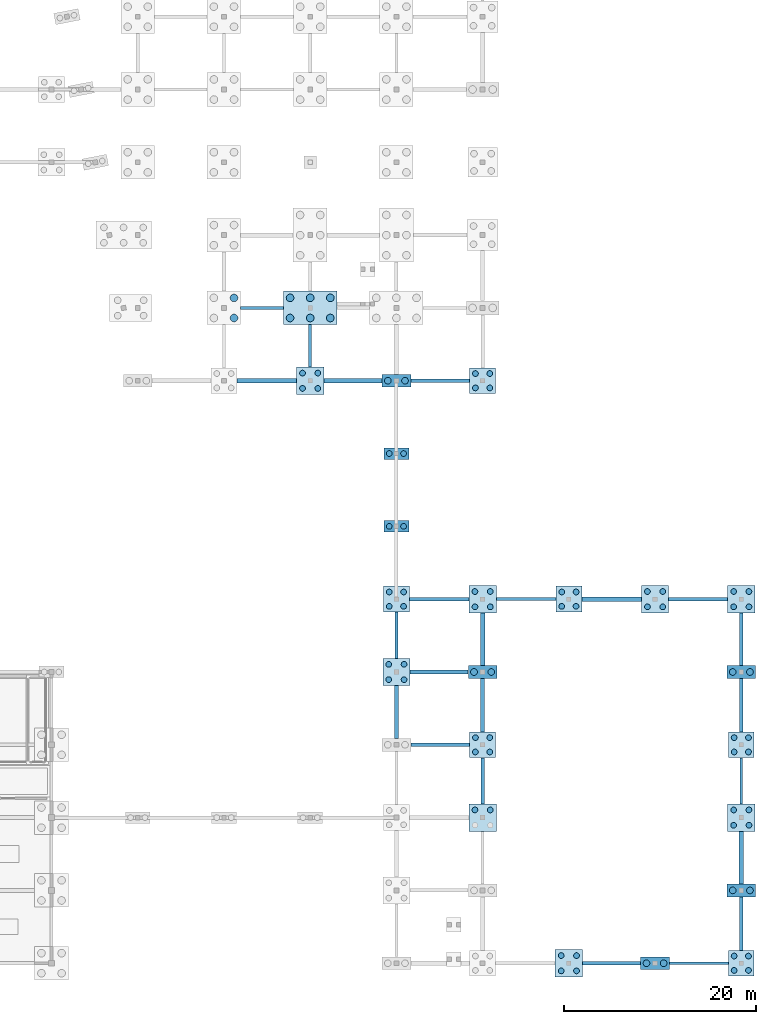
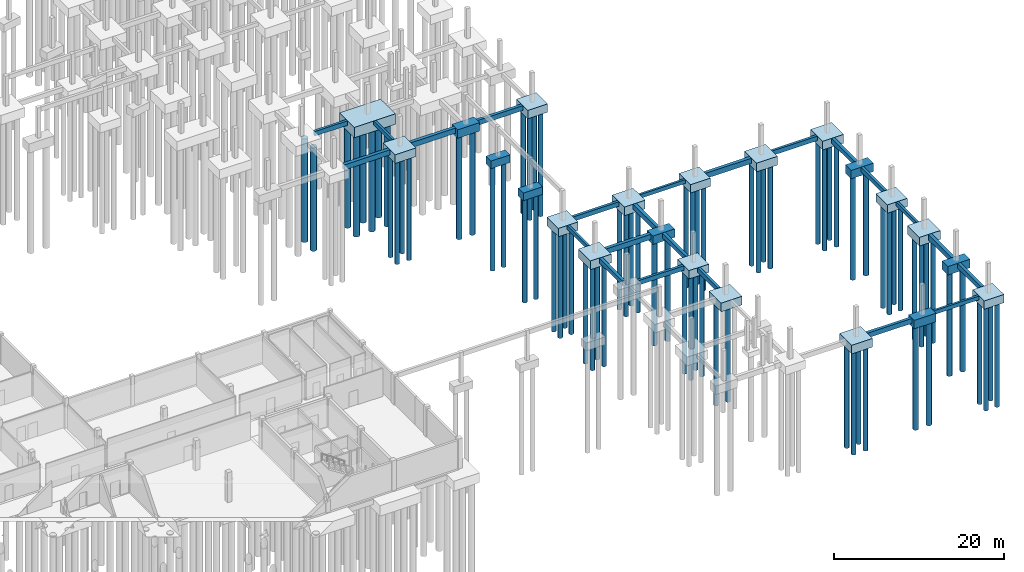
# One storey, part 10 of 28: 76 piles, 45 footings.
"""IFC4 building model written with IfcOpenShell, lengths in metres."""

from ifc_helpers import new_model, si_unit, direction, frame, origin, origin_2d, place, context, subcontext, project, spatial, rectangle, circle, extrude, material, layer, layer_set, material_profile, profile_set, type_object, element, save


model = new_model("IFC4")

# Units and contexts
model_context = context("Model", 3, precision=1e-05, world=origin(), true_north=direction((0.0, 1.0)))
body_context = subcontext(model_context, "Body", "Model", "MODEL_VIEW")
ifc_project = project(units=[si_unit("LENGTHUNIT", "METRE"), si_unit("AREAUNIT", "SQUARE_METRE"), si_unit("VOLUMEUNIT", "CUBIC_METRE"), si_unit("PLANEANGLEUNIT", "RADIAN"), si_unit("MASSUNIT", "GRAM", prefix="KILO")], contexts=[model_context])

# Site, building, storey
site_placement = place(None, origin())
site = spatial("IfcSite", under=ifc_project, at=site_placement, CompositionType="ELEMENT")
building_placement = place(site_placement, origin())
building = spatial("IfcBuilding", under=site, at=building_placement, Name="Caisbarro Railhouse Central Library", CompositionType="ELEMENT")
storey_placement = place(building_placement, frame((0.0, 0.0, -4.320068359375)))
storey = spatial("IfcBuildingStorey", under=building, at=storey_placement, Name="B01", CompositionType="ELEMENT", Elevation=-4.320068359375)

# Footings
ifc_material_1 = material(Name="Concrete C35", Category="concrete")
footing_type_1 = type_object("IfcFootingType", Name="FTG-FB01", PredefinedType="FOOTING_BEAM", material=ifc_material_1)
footing_1_placement = place(storey_placement, frame((129.97509765625, 68.39990234375, -0.64990234375), z_axis=(0.0, 0.0, 1.0), x_axis=(1.0, 0.0, 0.0)))
element("IfcFooting", 1, at=footing_1_placement, inside=storey, type_object=footing_type_1, Name="FB01 ground tie beam 200", PredefinedType="FOOTING_BEAM", context=body_context, shape_type="SweptSolid", body=[
    extrude(rectangle(XDim=4.446044921875, YDim=0.35009765625, at=origin_2d()), origin(), (0.0, 0.0, 1.0), 0.64990234375),
])
footing_2_placement = place(storey_placement, frame((148.574951171875, 22.800048828125, -0.64990234375), z_axis=(0.0, 0.0, 1.0), x_axis=(1.0, 0.0, 0.0)))
element("IfcFooting", 2, at=footing_2_placement, inside=storey, type_object=footing_type_1, Name="FB01 ground tie beam 228", PredefinedType="FOOTING_BEAM", context=body_context, shape_type="SweptSolid", body=[
    extrude(rectangle(XDim=6.14599609375, YDim=0.35009765625, at=origin_2d()), origin(), (0.0, 0.0, 1.0), 0.64990234375),
])
footing_3_placement = place(storey_placement, frame((148.46240234375, 38.0, -0.64990234375), z_axis=(0.0, 0.0, 1.0), x_axis=(1.0, 0.0, 0.0)))
element("IfcFooting", 3, at=footing_3_placement, inside=storey, type_object=footing_type_1, Name="FB01 ground tie beam 232", PredefinedType="FOOTING_BEAM", context=body_context, shape_type="SweptSolid", body=[
    extrude(rectangle(XDim=6.220947265625, YDim=0.35009765625, at=origin_2d()), origin(), (0.0, 0.0, 1.0), 0.64990234375),
])
footing_4_placement = place(storey_placement, frame((153.0, 19.03759765625, -0.64990234375), z_axis=(0.0, 0.0, 1.0), x_axis=(0.0, 1.0, 0.0)))
element("IfcFooting", 4, at=footing_4_placement, inside=storey, type_object=footing_type_1, Name="FB01 ground tie beam 248", PredefinedType="FOOTING_BEAM", context=body_context, shape_type="SweptSolid", body=[
    extrude(rectangle(XDim=4.821044921875, YDim=0.35009765625, at=origin_2d()), origin(), (0.0, 0.0, 1.0), 0.64990234375),
])
footing_5_placement = place(storey_placement, frame((175.5, 38.0, -0.64990234375), z_axis=(0.0, 0.0, 1.0), x_axis=(1.0, 0.0, 0.0)))
element("IfcFooting", 5, at=footing_5_placement, inside=storey, type_object=footing_type_1, Name="FB01 ground tie beam 260", PredefinedType="FOOTING_BEAM", context=body_context, shape_type="SweptSolid", body=[
    extrude(rectangle(XDim=6.14599609375, YDim=0.35009765625, at=origin_2d()), origin(), (0.0, 0.0, 1.0), 0.64990234375),
])
footing_6_placement = place(storey_placement, frame((180.0, 26.9375, -0.64990234375), z_axis=(0.0, 0.0, 1.0), x_axis=(0.0, 1.0, 0.0)))
element("IfcFooting", 6, at=footing_6_placement, inside=storey, type_object=footing_type_1, Name="FB01 ground tie beam 264", PredefinedType="FOOTING_BEAM", context=body_context, shape_type="SweptSolid", body=[
    extrude(rectangle(XDim=5.571044921875, YDim=0.35009765625, at=origin_2d()), origin(), (0.0, 0.0, 1.0), 0.64990234375),
])
footing_type_2 = type_object("IfcFootingType", Name="FTG-FB02", PredefinedType="FOOTING_BEAM", material=ifc_material_1)
footing_7_placement = place(storey_placement, frame((144.0, 26.22509765625, -0.69970703125), z_axis=(0.0, 0.0, 1.0), x_axis=(0.0, 1.0, 0.0)))
element("IfcFooting", 7, at=footing_7_placement, inside=storey, type_object=footing_type_2, Name="FB02 ground tie beam 229", PredefinedType="FOOTING_BEAM", context=body_context, shape_type="SweptSolid", body=[
    extrude(rectangle(XDim=5.49609375, YDim=0.39990234375, at=origin_2d()), origin(), (0.0, 0.0, 1.0), 0.699951171875),
])
footing_8_placement = place(storey_placement, frame((148.574951171875, 60.800048828125, -0.69970703125), z_axis=(0.0, 0.0, 1.0), x_axis=(1.0, 0.0, 0.0)))
element("IfcFooting", 8, at=footing_8_placement, inside=storey, type_object=footing_type_2, Name="FB02 ground tie beam 233", PredefinedType="FOOTING_BEAM", context=body_context, shape_type="SweptSolid", body=[
    extrude(rectangle(XDim=6.14599609375, YDim=0.39990234375, at=origin_2d()), origin(), (0.0, 0.0, 1.0), 0.699951171875),
])
footing_9_placement = place(storey_placement, frame((153.0, 26.9375, -0.69970703125), z_axis=(0.0, 0.0, 1.0), x_axis=(0.0, 1.0, 0.0)))
element("IfcFooting", 9, at=footing_9_placement, inside=storey, type_object=footing_type_2, Name="FB02 ground tie beam 249", PredefinedType="FOOTING_BEAM", context=body_context, shape_type="SweptSolid", body=[
    extrude(rectangle(XDim=5.571044921875, YDim=0.39990234375, at=origin_2d()), origin(), (0.0, 0.0, 1.0), 0.699951171875),
])
footing_10_placement = place(storey_placement, frame((166.46240234375, 0.0, -0.69970703125), z_axis=(0.0, 0.0, 1.0), x_axis=(1.0, 0.0, 0.0)))
element("IfcFooting", 10, at=footing_10_placement, inside=storey, type_object=footing_type_2, Name="FB02 ground tie beam 257", PredefinedType="FOOTING_BEAM", context=body_context, shape_type="SweptSolid", body=[
    extrude(rectangle(XDim=6.071044921875, YDim=0.39990234375, at=origin_2d()), origin(), (0.0, 0.0, 1.0), 0.699951171875),
])
footing_11_placement = place(storey_placement, frame((180.0, 4.137451171875, -0.69970703125), z_axis=(0.0, 0.0, 1.0), x_axis=(0.0, 1.0, 0.0)))
element("IfcFooting", 11, at=footing_11_placement, inside=storey, type_object=footing_type_2, Name="FB02 ground tie beam 261", PredefinedType="FOOTING_BEAM", context=body_context, shape_type="SweptSolid", body=[
    extrude(rectangle(XDim=5.571044921875, YDim=0.39990234375, at=origin_2d()), origin(), (0.0, 0.0, 1.0), 0.699951171875),
])
footing_12_placement = place(storey_placement, frame((180.0, 33.824951171875, -0.69970703125), z_axis=(0.0, 0.0, 1.0), x_axis=(0.0, 1.0, 0.0)))
element("IfcFooting", 12, at=footing_12_placement, inside=storey, type_object=footing_type_2, Name="FB02 ground tie beam 265", PredefinedType="FOOTING_BEAM", context=body_context, shape_type="SweptSolid", body=[
    extrude(rectangle(XDim=5.49609375, YDim=0.39990234375, at=origin_2d()), origin(), (0.0, 0.0, 1.0), 0.699951171875),
])
footing_type_3 = type_object("IfcFootingType", Name="FTG-FB03", PredefinedType="FOOTING_BEAM", material=ifc_material_1)
footing_13_placement = place(storey_placement, frame((130.46240234375, 60.800048828125, -0.75), z_axis=(0.0, 0.0, 1.0), x_axis=(1.0, 0.0, 0.0)))
element("IfcFooting", 13, at=footing_13_placement, inside=storey, type_object=footing_type_3, Name="FB03 ground tie beam 198", PredefinedType="FOOTING_BEAM", context=body_context, shape_type="SweptSolid", body=[
    extrude(rectangle(XDim=6.220947265625, YDim=0.449951171875, at=origin_2d()), origin(), (0.0, 0.0, 1.0), 0.75),
])
for number, where, z_axis, x_axis, name in (
    (14, (139.46240234375, 60.800048828125, -0.75), (0.0, 0.0, 1.0), (1.0, 0.0, 0.0), "FB03 ground tie beam 210"),
    (15, (148.46240234375, 30.39990234375, -0.75), (0.0, 0.0, 1.0), (1.0, 0.0, 0.0), "FB03 ground tie beam 230"),
):
    element("IfcFooting", number, at=place(storey_placement, frame(where, z_axis=z_axis, x_axis=x_axis)), inside=storey, type_object=footing_type_3, Name=name, PredefinedType="FOOTING_BEAM", context=body_context, shape_type="SweptSolid", body=[
        extrude(rectangle(XDim=6.071044921875, YDim=0.449951171875, at=origin_2d()), origin(), (0.0, 0.0, 1.0), 0.75),
    ])
footing_14_placement = place(storey_placement, frame((153.0, 33.824951171875, -0.75), z_axis=(0.0, 0.0, 1.0), x_axis=(0.0, 1.0, 0.0)))
element("IfcFooting", 16, at=footing_14_placement, inside=storey, type_object=footing_type_3, Name="FB03 ground tie beam 250", PredefinedType="FOOTING_BEAM", context=body_context, shape_type="SweptSolid", body=[
    extrude(rectangle(XDim=5.49609375, YDim=0.449951171875, at=origin_2d()), origin(), (0.0, 0.0, 1.0), 0.75),
])
footing_15_placement = place(storey_placement, frame((166.46240234375, 38.0, -0.75), z_axis=(0.0, 0.0, 1.0), x_axis=(1.0, 0.0, 0.0)))
element("IfcFooting", 17, at=footing_15_placement, inside=storey, type_object=footing_type_3, Name="FB03 ground tie beam 258", PredefinedType="FOOTING_BEAM", context=body_context, shape_type="SweptSolid", body=[
    extrude(rectangle(XDim=6.220947265625, YDim=0.449951171875, at=origin_2d()), origin(), (0.0, 0.0, 1.0), 0.75),
])
footing_16_placement = place(storey_placement, frame((180.0, 11.02490234375, -0.75), z_axis=(0.0, 0.0, 1.0), x_axis=(0.0, 1.0, 0.0)))
element("IfcFooting", 18, at=footing_16_placement, inside=storey, type_object=footing_type_3, Name="FB03 ground tie beam 262", PredefinedType="FOOTING_BEAM", context=body_context, shape_type="SweptSolid", body=[
    extrude(rectangle(XDim=5.49609375, YDim=0.449951171875, at=origin_2d()), origin(), (0.0, 0.0, 1.0), 0.75),
])
footing_type_4 = type_object("IfcFootingType", Name="FTG-FB04", PredefinedType="FOOTING_BEAM", material=ifc_material_1)
footing_17_placement = place(storey_placement, frame((135.0, 64.4375, -0.5498046875), z_axis=(0.0, 0.0, 1.0), x_axis=(0.0, 1.0, 0.0)))
element("IfcFooting", 19, at=footing_17_placement, inside=storey, type_object=footing_type_4, Name="FB04 ground tie beam 211", PredefinedType="FOOTING_BEAM", context=body_context, shape_type="SweptSolid", body=[
    extrude(rectangle(XDim=4.4208984375, YDim=0.300048828125, at=origin_2d()), origin(), (0.0, 0.0, 1.0), 0.550048828125),
])
footing_18_placement = place(storey_placement, frame((144.0, 34.237548828125, -0.5498046875), z_axis=(0.0, 0.0, 1.0), x_axis=(0.0, 1.0, 0.0)))
element("IfcFooting", 20, at=footing_18_placement, inside=storey, type_object=footing_type_4, Name="FB04 ground tie beam 231", PredefinedType="FOOTING_BEAM", context=body_context, shape_type="SweptSolid", body=[
    extrude(rectangle(XDim=4.821044921875, YDim=0.300048828125, at=origin_2d()), origin(), (0.0, 0.0, 1.0), 0.550048828125),
])
footing_19_placement = place(storey_placement, frame((157.53759765625, 38.0, -0.5498046875), z_axis=(0.0, 0.0, 1.0), x_axis=(1.0, 0.0, 0.0)))
element("IfcFooting", 21, at=footing_19_placement, inside=storey, type_object=footing_type_4, Name="FB04 ground tie beam 251", PredefinedType="FOOTING_BEAM", context=body_context, shape_type="SweptSolid", body=[
    extrude(rectangle(XDim=6.220947265625, YDim=0.300048828125, at=origin_2d()), origin(), (0.0, 0.0, 1.0), 0.550048828125),
])
footing_20_placement = place(storey_placement, frame((175.574951171875, 0.0, -0.5498046875), z_axis=(0.0, 0.0, 1.0), x_axis=(1.0, 0.0, 0.0)))
element("IfcFooting", 22, at=footing_20_placement, inside=storey, type_object=footing_type_4, Name="FB04 ground tie beam 259", PredefinedType="FOOTING_BEAM", context=body_context, shape_type="SweptSolid", body=[
    extrude(rectangle(XDim=6.14599609375, YDim=0.300048828125, at=origin_2d()), origin(), (0.0, 0.0, 1.0), 0.550048828125),
])
footing_21_placement = place(storey_placement, frame((180.0, 19.03759765625, -0.5498046875), z_axis=(0.0, 0.0, 1.0), x_axis=(0.0, 1.0, 0.0)))
element("IfcFooting", 23, at=footing_21_placement, inside=storey, type_object=footing_type_4, Name="FB04 ground tie beam 263", PredefinedType="FOOTING_BEAM", context=body_context, shape_type="SweptSolid", body=[
    extrude(rectangle(XDim=4.821044921875, YDim=0.300048828125, at=origin_2d()), origin(), (0.0, 0.0, 1.0), 0.550048828125),
])
ifc_material_2 = material(Name="Concrete C40", Category="concrete")
ifc_layer_1 = layer(ifc_material_2, 1.10009765625, Name="Concrete C40")
ifc_layer_set_1 = layer_set([ifc_layer_1], Name="Concrete C40")
footing_type_5 = type_object("IfcFootingType", Name="FTG-PC02", PredefinedType="PILE_CAP", material=ifc_layer_set_1)
for number, where, z_axis, x_axis, name in (
    (24, (144.0, 45.60009765625, -1.10009765625), (0.0, 0.0, 1.0), (1.0, 0.0, 0.0), "PC02 link pile cap 5"),
    (25, (144.0, 53.199951171875, -1.10009765625), (0.0, 0.0, 1.0), (1.0, 0.0, 0.0), "PC02 link pile cap 6"),
):
    element("IfcFooting", number, at=place(storey_placement, frame(where, z_axis=z_axis, x_axis=x_axis)), inside=storey, type_object=footing_type_5, Name=name, PredefinedType="PILE_CAP", context=body_context, shape_type="SweptSolid", body=[
        extrude(rectangle(XDim=2.60009765625, YDim=1.199951171875, at=origin_2d()), origin(), (0.0, 0.0, 1.0), 1.10009765625),
    ])
ifc_layer_2 = layer(ifc_material_2, 1.199951171875, Name="Concrete C40")
ifc_layer_set_2 = layer_set([ifc_layer_2], Name="Concrete C40")
footing_type_6 = type_object("IfcFootingType", Name="FTG-PC04", PredefinedType="PILE_CAP", material=ifc_layer_set_2)
for number, where, z_axis, x_axis, name in (
    (26, (144.0, 38.0, -1.19970703125), (0.0, 0.0, 1.0), (1.0, 0.0, 0.0), "PC04 pile cap (198)"),
    (27, (153.0, 22.800048828125, -1.19970703125), (0.0, 0.0, 1.0), (1.0, 0.0, 0.0), "PC04 pile cap (210)"),
    (28, (153.0, 60.800048828125, -1.19970703125), (0.0, 0.0, 1.0), (1.0, 0.0, 0.0), "PC04 pile cap (213)"),
    (29, (162.0, 38.0, -1.19970703125), (0.0, 0.0, 1.0), (1.0, 0.0, 0.0), "PC04 pile cap (222)"),
    (30, (180.0, 0.0, -1.19970703125), (0.0, 0.0, 1.0), (1.0, 0.0, 0.0), "PC04 pile cap (225)"),
    (31, (180.0, 22.800048828125, -1.19970703125), (0.0, 0.0, 1.0), (1.0, 0.0, 0.0), "PC04 pile cap (228)"),
):
    element("IfcFooting", number, at=place(storey_placement, frame(where, z_axis=z_axis, x_axis=x_axis)), inside=storey, type_object=footing_type_6, Name=name, PredefinedType="PILE_CAP", context=body_context, shape_type="SweptSolid", body=[
        extrude(rectangle(XDim=2.699951171875, YDim=2.699951171875, at=origin_2d()), origin(), (0.0, 0.0, 1.0), 1.199951171875),
    ])
ifc_layer_3 = layer(ifc_material_2, 1.219970703125, Name="Concrete C40")
ifc_layer_set_3 = layer_set([ifc_layer_3], Name="Concrete C40")
footing_type_7 = type_object("IfcFootingType", Name="FTG-PC05", PredefinedType="PILE_CAP", material=ifc_layer_set_3)
for number, where, z_axis, x_axis, name in (
    (32, (144.0, 60.800048828125, -1.2197265625), (0.0, 0.0, 1.0), (1.0, 0.0, 0.0), "PC05 pile cap (199)"),
    (33, (153.0, 30.39990234375, -1.2197265625), (0.0, 0.0, 1.0), (1.0, 0.0, 0.0), "PC05 pile cap (211)"),
    (34, (171.0, 0.0, -1.2197265625), (0.0, 0.0, 1.0), (1.0, 0.0, 0.0), "PC05 pile cap (223)"),
    (35, (180.0, 7.60009765625, -1.2197265625), (0.0, 0.0, 1.0), (1.0, 0.0, 0.0), "PC05 pile cap (226)"),
    (36, (180.0, 30.39990234375, -1.2197265625), (0.0, 0.0, 1.0), (1.0, 0.0, 0.0), "PC05 pile cap (229)"),
):
    element("IfcFooting", number, at=place(storey_placement, frame(where, z_axis=z_axis, x_axis=x_axis)), inside=storey, type_object=footing_type_7, Name=name, PredefinedType="PILE_CAP", context=body_context, shape_type="SweptSolid", body=[
        extrude(rectangle(XDim=3.0, YDim=1.35009765625, at=origin_2d()), origin(), (0.0, 0.0, 1.0), 1.219970703125),
    ])
ifc_layer_4 = layer(ifc_material_2, 1.5, Name="Concrete C40")
ifc_layer_set_4 = layer_set([ifc_layer_4], Name="Concrete C40")
footing_type_8 = type_object("IfcFootingType", Name="FTG-PC09", PredefinedType="PILE_CAP", material=ifc_layer_set_4)
footing_22_placement = place(storey_placement, frame((135.0, 68.39990234375, -1.5), z_axis=(0.0, 0.0, 1.0), x_axis=(1.0, 0.0, 0.0)))
element("IfcFooting", 37, at=footing_22_placement, inside=storey, type_object=footing_type_8, Name="PC09 pile cap (186)", PredefinedType="PILE_CAP", context=body_context, shape_type="SweptSolid", body=[
    extrude(rectangle(XDim=5.60009765625, YDim=3.5, at=origin_2d()), origin(), (0.0, 0.0, 1.0), 1.5),
])
ifc_layer_5 = layer(ifc_material_2, 1.25, Name="Concrete C40")
ifc_layer_set_5 = layer_set([ifc_layer_5], Name="Concrete C40")
footing_type_9 = type_object("IfcFootingType", Name="FTG-PC13", PredefinedType="PILE_CAP", material=ifc_layer_set_5)
for number, where, z_axis, x_axis, name in (
    (38, (135.0, 60.800048828125, -1.25), (0.0, 0.0, 1.0), (1.0, 0.0, 0.0), "PC13 pile cap (185)"),
    (39, (144.0, 30.39990234375, -1.25), (0.0, 0.0, 1.0), (1.0, 0.0, 0.0), "PC13 pile cap (197)"),
    (40, (153.0, 15.199951171875, -1.25), (0.0, 0.0, 1.0), (1.0, 0.0, 0.0), "PC13 pile cap (209)"),
    (41, (153.0, 38.0, -1.25), (0.0, 0.0, 1.0), (1.0, 0.0, 0.0), "PC13 pile cap (212)"),
    (42, (162.0, 0.0, -1.25), (0.0, 0.0, 1.0), (1.0, 0.0, 0.0), "PC13 pile cap (221)"),
    (43, (171.0, 38.0, -1.25), (0.0, 0.0, 1.0), (1.0, 0.0, 0.0), "PC13 pile cap (224)"),
    (44, (180.0, 15.199951171875, -1.25), (0.0, 0.0, 1.0), (1.0, 0.0, 0.0), "PC13 pile cap (227)"),
    (45, (180.0, 38.0, -1.25), (0.0, 0.0, 1.0), (1.0, 0.0, 0.0), "PC13 pile cap (230)"),
):
    element("IfcFooting", number, at=place(storey_placement, frame(where, z_axis=z_axis, x_axis=x_axis)), inside=storey, type_object=footing_type_9, Name=name, PredefinedType="PILE_CAP", context=body_context, shape_type="SweptSolid", body=[
        extrude(rectangle(XDim=2.85009765625, YDim=2.85009765625, at=origin_2d()), origin(), (0.0, 0.0, 1.0), 1.25),
    ])

# Piles
ifc_material_profile_1 = material_profile(ifc_material_1, circle(Radius=0.300048828125, at=origin_2d()), Name="PILE-CFA-600")
ifc_profile_set_1 = profile_set([ifc_material_profile_1], Name="Concrete C35")
pile_type_1 = type_object("IfcPileType", Name="PILE-CFA600", PredefinedType="BORED", material=ifc_profile_set_1)
for number, where, z_axis, x_axis, name in (
    (46, (134.199951171875, 60.0, -1.14990234375), (0.0, 0.0, -1.0), (1.0, 0.0, 0.0), "PL60 CFA bored pile 185.1"),
    (47, (135.800048828125, 60.0, -1.14990234375), (0.0, 0.0, -1.0), (1.0, 0.0, 0.0), "PL60 CFA bored pile 185.2"),
    (48, (134.199951171875, 61.60009765625, -1.14990234375), (0.0, 0.0, -1.0), (1.0, 0.0, 0.0), "PL60 CFA bored pile 185.3"),
    (49, (135.800048828125, 61.60009765625, -1.14990234375), (0.0, 0.0, -1.0), (1.0, 0.0, 0.0), "PL60 CFA bored pile 185.4"),
    (50, (143.199951171875, 29.60009765625, -1.14990234375), (0.0, 0.0, -1.0), (1.0, 0.0, 0.0), "PL60 CFA bored pile 197.1"),
    (51, (144.800048828125, 29.60009765625, -1.14990234375), (0.0, 0.0, -1.0), (1.0, 0.0, 0.0), "PL60 CFA bored pile 197.2"),
    (52, (143.199951171875, 31.199951171875, -1.14990234375), (0.0, 0.0, -1.0), (1.0, 0.0, 0.0), "PL60 CFA bored pile 197.3"),
    (53, (144.800048828125, 31.199951171875, -1.14990234375), (0.0, 0.0, -1.0), (1.0, 0.0, 0.0), "PL60 CFA bored pile 197.4"),
):
    element("IfcPile", number, at=place(storey_placement, frame(where, z_axis=z_axis, x_axis=x_axis)), inside=storey, type_object=pile_type_1, Name=name, PredefinedType="BORED", context=body_context, shape_type="SweptSolid", body=[
        extrude(circle(Radius=0.300048828125, at=origin_2d()), origin(), (0.0, 0.0, 1.0), 15.030029296875),
    ])
for number, where, z_axis, x_axis, name in (
    (54, (143.25, 37.25, -1.099853515625), (0.0, 0.0, -1.0), (1.0, 0.0, 0.0), "PL60 CFA bored pile 198.1"),
    (55, (144.75, 37.25, -1.099853515625), (0.0, 0.0, -1.0), (1.0, 0.0, 0.0), "PL60 CFA bored pile 198.2"),
    (56, (143.25, 38.75, -1.099853515625), (0.0, 0.0, -1.0), (1.0, 0.0, 0.0), "PL60 CFA bored pile 198.3"),
    (57, (144.75, 38.75, -1.099853515625), (0.0, 0.0, -1.0), (1.0, 0.0, 0.0), "PL60 CFA bored pile 198.4"),
):
    element("IfcPile", number, at=place(storey_placement, frame(where, z_axis=z_axis, x_axis=x_axis)), inside=storey, type_object=pile_type_1, Name=name, PredefinedType="BORED", context=body_context, shape_type="SweptSolid", body=[
        extrude(circle(Radius=0.300048828125, at=origin_2d()), origin(), (0.0, 0.0, 1.0), 15.080078125),
    ])
for number, where, z_axis, x_axis, name in (
    (58, (152.199951171875, 16.0, -1.14990234375), (0.0, 0.0, -1.0), (1.0, 0.0, 0.0), "PL60 CFA bored pile 209.3"),
    (59, (153.800048828125, 16.0, -1.14990234375), (0.0, 0.0, -1.0), (1.0, 0.0, 0.0), "PL60 CFA bored pile 209.4"),
):
    element("IfcPile", number, at=place(storey_placement, frame(where, z_axis=z_axis, x_axis=x_axis)), inside=storey, type_object=pile_type_1, Name=name, PredefinedType="BORED", context=body_context, shape_type="SweptSolid", body=[
        extrude(circle(Radius=0.300048828125, at=origin_2d()), origin(), (0.0, 0.0, 1.0), 15.030029296875),
    ])
for number, where, z_axis, x_axis, name in (
    (60, (152.25, 22.050048828125, -1.099853515625), (0.0, 0.0, -1.0), (1.0, 0.0, 0.0), "PL60 CFA bored pile 210.1"),
    (61, (153.75, 22.050048828125, -1.099853515625), (0.0, 0.0, -1.0), (1.0, 0.0, 0.0), "PL60 CFA bored pile 210.2"),
    (62, (152.25, 23.550048828125, -1.099853515625), (0.0, 0.0, -1.0), (1.0, 0.0, 0.0), "PL60 CFA bored pile 210.3"),
    (63, (153.75, 23.550048828125, -1.099853515625), (0.0, 0.0, -1.0), (1.0, 0.0, 0.0), "PL60 CFA bored pile 210.4"),
):
    element("IfcPile", number, at=place(storey_placement, frame(where, z_axis=z_axis, x_axis=x_axis)), inside=storey, type_object=pile_type_1, Name=name, PredefinedType="BORED", context=body_context, shape_type="SweptSolid", body=[
        extrude(circle(Radius=0.300048828125, at=origin_2d()), origin(), (0.0, 0.0, 1.0), 15.080078125),
    ])
for number, where, z_axis, x_axis, name in (
    (64, (152.199951171875, 37.199951171875, -1.14990234375), (0.0, 0.0, -1.0), (1.0, 0.0, 0.0), "PL60 CFA bored pile 212.1"),
    (65, (153.800048828125, 37.199951171875, -1.14990234375), (0.0, 0.0, -1.0), (1.0, 0.0, 0.0), "PL60 CFA bored pile 212.2"),
    (66, (152.199951171875, 38.800048828125, -1.14990234375), (0.0, 0.0, -1.0), (1.0, 0.0, 0.0), "PL60 CFA bored pile 212.3"),
    (67, (153.800048828125, 38.800048828125, -1.14990234375), (0.0, 0.0, -1.0), (1.0, 0.0, 0.0), "PL60 CFA bored pile 212.4"),
):
    element("IfcPile", number, at=place(storey_placement, frame(where, z_axis=z_axis, x_axis=x_axis)), inside=storey, type_object=pile_type_1, Name=name, PredefinedType="BORED", context=body_context, shape_type="SweptSolid", body=[
        extrude(circle(Radius=0.300048828125, at=origin_2d()), origin(), (0.0, 0.0, 1.0), 15.030029296875),
    ])
for number, where, z_axis, x_axis, name in (
    (68, (152.25, 60.050048828125, -1.099853515625), (0.0, 0.0, -1.0), (1.0, 0.0, 0.0), "PL60 CFA bored pile 213.1"),
    (69, (153.75, 60.050048828125, -1.099853515625), (0.0, 0.0, -1.0), (1.0, 0.0, 0.0), "PL60 CFA bored pile 213.2"),
    (70, (152.25, 61.550048828125, -1.099853515625), (0.0, 0.0, -1.0), (1.0, 0.0, 0.0), "PL60 CFA bored pile 213.3"),
    (71, (153.75, 61.550048828125, -1.099853515625), (0.0, 0.0, -1.0), (1.0, 0.0, 0.0), "PL60 CFA bored pile 213.4"),
):
    element("IfcPile", number, at=place(storey_placement, frame(where, z_axis=z_axis, x_axis=x_axis)), inside=storey, type_object=pile_type_1, Name=name, PredefinedType="BORED", context=body_context, shape_type="SweptSolid", body=[
        extrude(circle(Radius=0.300048828125, at=origin_2d()), origin(), (0.0, 0.0, 1.0), 15.080078125),
    ])
for number, where, z_axis, x_axis, name in (
    (72, (161.199951171875, -0.800048828125, -1.14990234375), (0.0, 0.0, -1.0), (1.0, 0.0, 0.0), "PL60 CFA bored pile 221.1"),
    (73, (162.800048828125, -0.800048828125, -1.14990234375), (0.0, 0.0, -1.0), (1.0, 0.0, 0.0), "PL60 CFA bored pile 221.2"),
    (74, (161.199951171875, 0.800048828125, -1.14990234375), (0.0, 0.0, -1.0), (1.0, 0.0, 0.0), "PL60 CFA bored pile 221.3"),
    (75, (162.800048828125, 0.800048828125, -1.14990234375), (0.0, 0.0, -1.0), (1.0, 0.0, 0.0), "PL60 CFA bored pile 221.4"),
):
    element("IfcPile", number, at=place(storey_placement, frame(where, z_axis=z_axis, x_axis=x_axis)), inside=storey, type_object=pile_type_1, Name=name, PredefinedType="BORED", context=body_context, shape_type="SweptSolid", body=[
        extrude(circle(Radius=0.300048828125, at=origin_2d()), origin(), (0.0, 0.0, 1.0), 15.030029296875),
    ])
for number, where, z_axis, x_axis, name in (
    (76, (161.25, 37.25, -1.099853515625), (0.0, 0.0, -1.0), (1.0, 0.0, 0.0), "PL60 CFA bored pile 222.1"),
    (77, (162.75, 37.25, -1.099853515625), (0.0, 0.0, -1.0), (1.0, 0.0, 0.0), "PL60 CFA bored pile 222.2"),
    (78, (161.25, 38.75, -1.099853515625), (0.0, 0.0, -1.0), (1.0, 0.0, 0.0), "PL60 CFA bored pile 222.3"),
    (79, (162.75, 38.75, -1.099853515625), (0.0, 0.0, -1.0), (1.0, 0.0, 0.0), "PL60 CFA bored pile 222.4"),
):
    element("IfcPile", number, at=place(storey_placement, frame(where, z_axis=z_axis, x_axis=x_axis)), inside=storey, type_object=pile_type_1, Name=name, PredefinedType="BORED", context=body_context, shape_type="SweptSolid", body=[
        extrude(circle(Radius=0.300048828125, at=origin_2d()), origin(), (0.0, 0.0, 1.0), 15.080078125),
    ])
for number, where, z_axis, x_axis, name in (
    (80, (170.199951171875, 37.199951171875, -1.14990234375), (0.0, 0.0, -1.0), (1.0, 0.0, 0.0), "PL60 CFA bored pile 224.1"),
    (81, (171.800048828125, 37.199951171875, -1.14990234375), (0.0, 0.0, -1.0), (1.0, 0.0, 0.0), "PL60 CFA bored pile 224.2"),
    (82, (170.199951171875, 38.800048828125, -1.14990234375), (0.0, 0.0, -1.0), (1.0, 0.0, 0.0), "PL60 CFA bored pile 224.3"),
    (83, (171.800048828125, 38.800048828125, -1.14990234375), (0.0, 0.0, -1.0), (1.0, 0.0, 0.0), "PL60 CFA bored pile 224.4"),
):
    element("IfcPile", number, at=place(storey_placement, frame(where, z_axis=z_axis, x_axis=x_axis)), inside=storey, type_object=pile_type_1, Name=name, PredefinedType="BORED", context=body_context, shape_type="SweptSolid", body=[
        extrude(circle(Radius=0.300048828125, at=origin_2d()), origin(), (0.0, 0.0, 1.0), 15.030029296875),
    ])
for number, where, z_axis, x_axis, name in (
    (84, (179.25, -0.75, -1.099853515625), (0.0, 0.0, -1.0), (1.0, 0.0, 0.0), "PL60 CFA bored pile 225.1"),
    (85, (180.75, -0.75, -1.099853515625), (0.0, 0.0, -1.0), (1.0, 0.0, 0.0), "PL60 CFA bored pile 225.2"),
    (86, (179.25, 0.75, -1.099853515625), (0.0, 0.0, -1.0), (1.0, 0.0, 0.0), "PL60 CFA bored pile 225.3"),
    (87, (180.75, 0.75, -1.099853515625), (0.0, 0.0, -1.0), (1.0, 0.0, 0.0), "PL60 CFA bored pile 225.4"),
):
    element("IfcPile", number, at=place(storey_placement, frame(where, z_axis=z_axis, x_axis=x_axis)), inside=storey, type_object=pile_type_1, Name=name, PredefinedType="BORED", context=body_context, shape_type="SweptSolid", body=[
        extrude(circle(Radius=0.300048828125, at=origin_2d()), origin(), (0.0, 0.0, 1.0), 15.080078125),
    ])
for number, where, z_axis, x_axis, name in (
    (88, (179.199951171875, 14.39990234375, -1.14990234375), (0.0, 0.0, -1.0), (1.0, 0.0, 0.0), "PL60 CFA bored pile 227.1"),
    (89, (180.800048828125, 14.39990234375, -1.14990234375), (0.0, 0.0, -1.0), (1.0, 0.0, 0.0), "PL60 CFA bored pile 227.2"),
    (90, (179.199951171875, 16.0, -1.14990234375), (0.0, 0.0, -1.0), (1.0, 0.0, 0.0), "PL60 CFA bored pile 227.3"),
    (91, (180.800048828125, 16.0, -1.14990234375), (0.0, 0.0, -1.0), (1.0, 0.0, 0.0), "PL60 CFA bored pile 227.4"),
):
    element("IfcPile", number, at=place(storey_placement, frame(where, z_axis=z_axis, x_axis=x_axis)), inside=storey, type_object=pile_type_1, Name=name, PredefinedType="BORED", context=body_context, shape_type="SweptSolid", body=[
        extrude(circle(Radius=0.300048828125, at=origin_2d()), origin(), (0.0, 0.0, 1.0), 15.030029296875),
    ])
for number, where, z_axis, x_axis, name in (
    (92, (179.25, 22.050048828125, -1.099853515625), (0.0, 0.0, -1.0), (1.0, 0.0, 0.0), "PL60 CFA bored pile 228.1"),
    (93, (180.75, 22.050048828125, -1.099853515625), (0.0, 0.0, -1.0), (1.0, 0.0, 0.0), "PL60 CFA bored pile 228.2"),
    (94, (179.25, 23.550048828125, -1.099853515625), (0.0, 0.0, -1.0), (1.0, 0.0, 0.0), "PL60 CFA bored pile 228.3"),
    (95, (180.75, 23.550048828125, -1.099853515625), (0.0, 0.0, -1.0), (1.0, 0.0, 0.0), "PL60 CFA bored pile 228.4"),
):
    element("IfcPile", number, at=place(storey_placement, frame(where, z_axis=z_axis, x_axis=x_axis)), inside=storey, type_object=pile_type_1, Name=name, PredefinedType="BORED", context=body_context, shape_type="SweptSolid", body=[
        extrude(circle(Radius=0.300048828125, at=origin_2d()), origin(), (0.0, 0.0, 1.0), 15.080078125),
    ])
for number, where, z_axis, x_axis, name in (
    (96, (179.199951171875, 37.199951171875, -1.14990234375), (0.0, 0.0, -1.0), (1.0, 0.0, 0.0), "PL60 CFA bored pile 230.1"),
    (97, (180.800048828125, 37.199951171875, -1.14990234375), (0.0, 0.0, -1.0), (1.0, 0.0, 0.0), "PL60 CFA bored pile 230.2"),
    (98, (179.199951171875, 38.800048828125, -1.14990234375), (0.0, 0.0, -1.0), (1.0, 0.0, 0.0), "PL60 CFA bored pile 230.3"),
    (99, (180.800048828125, 38.800048828125, -1.14990234375), (0.0, 0.0, -1.0), (1.0, 0.0, 0.0), "PL60 CFA bored pile 230.4"),
):
    element("IfcPile", number, at=place(storey_placement, frame(where, z_axis=z_axis, x_axis=x_axis)), inside=storey, type_object=pile_type_1, Name=name, PredefinedType="BORED", context=body_context, shape_type="SweptSolid", body=[
        extrude(circle(Radius=0.300048828125, at=origin_2d()), origin(), (0.0, 0.0, 1.0), 15.030029296875),
    ])
for number, where, z_axis, x_axis, name in (
    (100, (143.25, 45.60009765625, -1.0), (0.0, 0.0, -1.0), (1.0, 0.0, 0.0), "PL60 CFA link pile 5.1"),
    (101, (144.75, 45.60009765625, -1.0), (0.0, 0.0, -1.0), (1.0, 0.0, 0.0), "PL60 CFA link pile 5.2"),
    (102, (143.25, 53.199951171875, -1.0), (0.0, 0.0, -1.0), (1.0, 0.0, 0.0), "PL60 CFA link pile 6.1"),
    (103, (144.75, 53.199951171875, -1.0), (0.0, 0.0, -1.0), (1.0, 0.0, 0.0), "PL60 CFA link pile 6.2"),
):
    element("IfcPile", number, at=place(storey_placement, frame(where, z_axis=z_axis, x_axis=x_axis)), inside=storey, type_object=pile_type_1, Name=name, PredefinedType="BORED", context=body_context, shape_type="SweptSolid", body=[
        extrude(circle(Radius=0.300048828125, at=origin_2d()), origin(), (0.0, 0.0, 1.0), 15.179931640625),
    ])
ifc_material_profile_2 = material_profile(ifc_material_1, circle(Radius=0.35009765625, at=origin_2d()), Name="PILE-CFA-700")
ifc_profile_set_2 = profile_set([ifc_material_profile_2], Name="Concrete C35")
pile_type_2 = type_object("IfcPileType", Name="PILE-CFA700", PredefinedType="BORED", material=ifc_profile_set_2)
for number, where, z_axis, x_axis, name in (
    (104, (143.10009765625, 60.800048828125, -1.119873046875), (0.0, 0.0, -1.0), (1.0, 0.0, 0.0), "PL70 CFA bored pile 199.1"),
    (105, (144.89990234375, 60.800048828125, -1.119873046875), (0.0, 0.0, -1.0), (1.0, 0.0, 0.0), "PL70 CFA bored pile 199.2"),
    (106, (152.10009765625, 30.39990234375, -1.119873046875), (0.0, 0.0, -1.0), (1.0, 0.0, 0.0), "PL70 CFA bored pile 211.1"),
    (107, (153.89990234375, 30.39990234375, -1.119873046875), (0.0, 0.0, -1.0), (1.0, 0.0, 0.0), "PL70 CFA bored pile 211.2"),
    (108, (170.10009765625, 0.0, -1.119873046875), (0.0, 0.0, -1.0), (1.0, 0.0, 0.0), "PL70 CFA bored pile 223.1"),
    (109, (171.89990234375, 0.0, -1.119873046875), (0.0, 0.0, -1.0), (1.0, 0.0, 0.0), "PL70 CFA bored pile 223.2"),
    (110, (179.10009765625, 7.60009765625, -1.119873046875), (0.0, 0.0, -1.0), (1.0, 0.0, 0.0), "PL70 CFA bored pile 226.1"),
    (111, (180.89990234375, 7.60009765625, -1.119873046875), (0.0, 0.0, -1.0), (1.0, 0.0, 0.0), "PL70 CFA bored pile 226.2"),
    (112, (179.10009765625, 30.39990234375, -1.119873046875), (0.0, 0.0, -1.0), (1.0, 0.0, 0.0), "PL70 CFA bored pile 229.1"),
    (113, (180.89990234375, 30.39990234375, -1.119873046875), (0.0, 0.0, -1.0), (1.0, 0.0, 0.0), "PL70 CFA bored pile 229.2"),
):
    element("IfcPile", number, at=place(storey_placement, frame(where, z_axis=z_axis, x_axis=x_axis)), inside=storey, type_object=pile_type_2, Name=name, PredefinedType="BORED", context=body_context, shape_type="SweptSolid", body=[
        extrude(circle(Radius=0.35009765625, at=origin_2d()), origin(), (0.0, 0.0, 1.0), 15.06005859375),
    ])
ifc_material_profile_3 = material_profile(ifc_material_1, circle(Radius=0.39990234375, at=origin_2d()), Name="PILE-CFA-800")
ifc_profile_set_3 = profile_set([ifc_material_profile_3], Name="Concrete C35")
pile_type_3 = type_object("IfcPileType", Name="PILE-CFA800", PredefinedType="BORED", material=ifc_profile_set_3)
for number, where, z_axis, x_axis, name in (
    (114, (127.050048828125, 67.35009765625, -1.300048828125), (0.0, 0.0, -1.0), (1.0, 0.0, 0.0), "PL80 CFA bored pile 178.2"),
    (115, (127.050048828125, 69.449951171875, -1.300048828125), (0.0, 0.0, -1.0), (1.0, 0.0, 0.0), "PL80 CFA bored pile 178.4"),
):
    element("IfcPile", number, at=place(storey_placement, frame(where, z_axis=z_axis, x_axis=x_axis)), inside=storey, type_object=pile_type_3, Name=name, PredefinedType="BORED", context=body_context, shape_type="SweptSolid", body=[
        extrude(circle(Radius=0.39990234375, at=origin_2d()), origin(), (0.0, 0.0, 1.0), 14.8798828125),
    ])
for number, where, z_axis, x_axis, name in (
    (116, (132.89990234375, 67.35009765625, -1.39990234375), (0.0, 0.0, -1.0), (1.0, 0.0, 0.0), "PL80 CFA bored pile 186.1"),
    (117, (135.0, 67.35009765625, -1.39990234375), (0.0, 0.0, -1.0), (1.0, 0.0, 0.0), "PL80 CFA bored pile 186.2"),
    (118, (137.10009765625, 67.35009765625, -1.39990234375), (0.0, 0.0, -1.0), (1.0, 0.0, 0.0), "PL80 CFA bored pile 186.3"),
    (119, (132.89990234375, 69.449951171875, -1.39990234375), (0.0, 0.0, -1.0), (1.0, 0.0, 0.0), "PL80 CFA bored pile 186.4"),
    (120, (135.0, 69.449951171875, -1.39990234375), (0.0, 0.0, -1.0), (1.0, 0.0, 0.0), "PL80 CFA bored pile 186.5"),
    (121, (137.10009765625, 69.449951171875, -1.39990234375), (0.0, 0.0, -1.0), (1.0, 0.0, 0.0), "PL80 CFA bored pile 186.6"),
):
    element("IfcPile", number, at=place(storey_placement, frame(where, z_axis=z_axis, x_axis=x_axis)), inside=storey, type_object=pile_type_3, Name=name, PredefinedType="BORED", context=body_context, shape_type="SweptSolid", body=[
        extrude(circle(Radius=0.39990234375, at=origin_2d()), origin(), (0.0, 0.0, 1.0), 14.780029296875),
    ])

save(model, "model.ifc")
